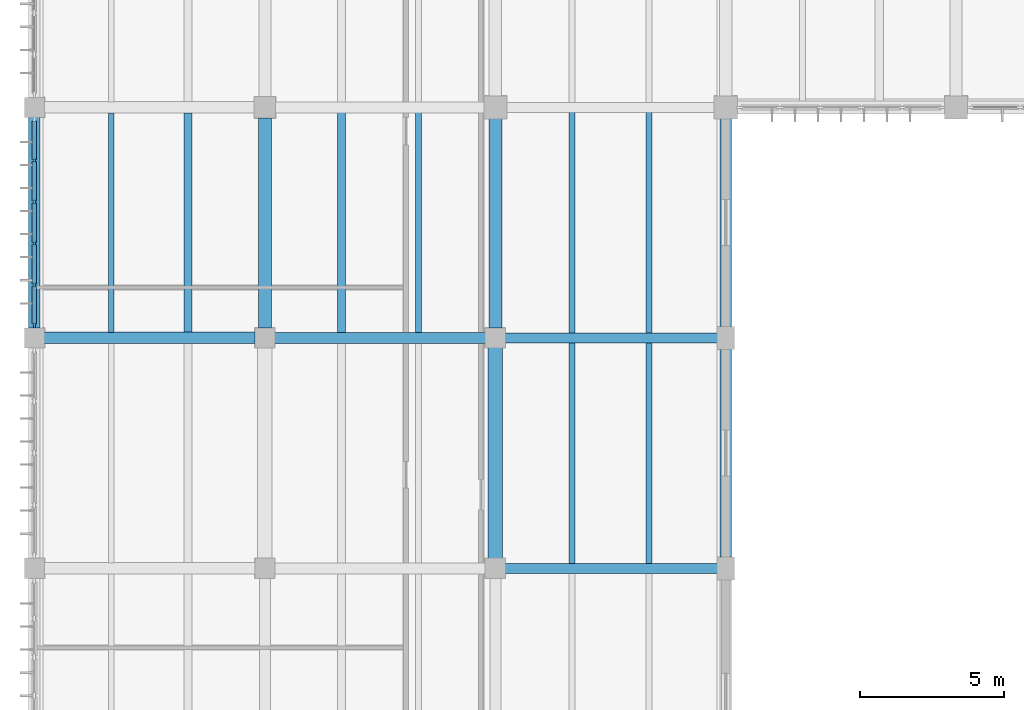
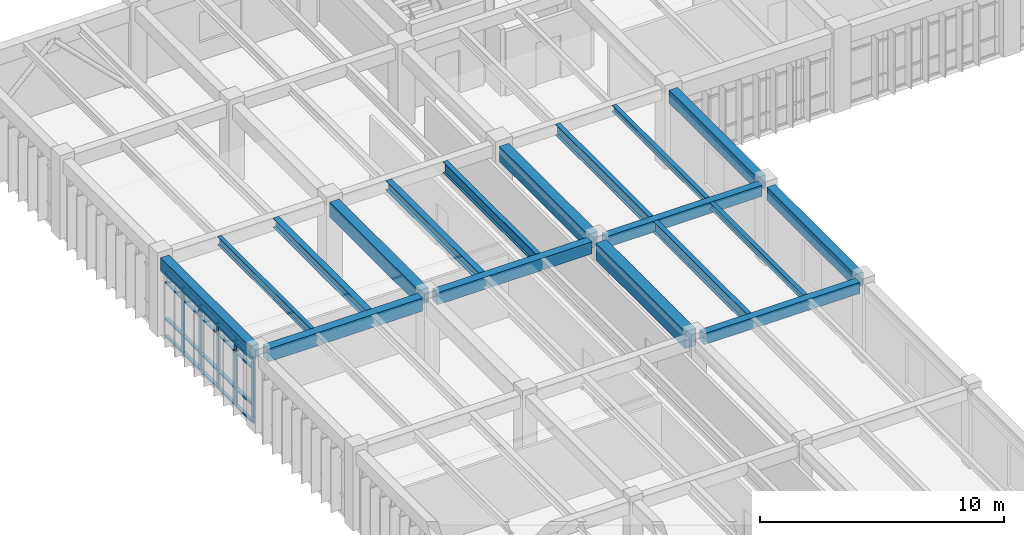
# One storey, part 10 of 67: 25 members, 18 beams, 1 element without a shape of its own.
"""IFC4 building model written with IfcOpenShell, lengths in metres."""

import ifcopenshell
import ifcopenshell.guid

model = None  # the IFC model being written
_history = None  # IfcOwnerHistory: only IFC2X3 demands one
_inside = {}  # id of a spatial element -> (the spatial element, [elements in it])
_under = {}  # id of a project, library or spatial element -> (it, [spatial elements below it])
_declared = {}  # id of a project -> (the project, [libraries it declares])
_typed = {}  # id of a type object -> (the type object, [elements of that type])
_made_of = {}  # id of a material, layer set ... -> (it, [elements and type objects made of it])


def new_model(schema):
    """Start an empty IFC model of exactly this schema.

    Asked for "IFC4X3", IfcOpenShell would pick the latest addendum, in which some entities
    have other attributes; the version numbers below select the first issue.
    IFC2X3 requires an IfcOwnerHistory on every rooted entity: one is made here for all.
    """
    global model, _history
    if schema == "IFC4X3":
        model = ifcopenshell.file(schema_version=(4, 3, 0, 0))
    else:
        model = ifcopenshell.file(schema=schema)
    _inside.clear()
    _under.clear()
    _declared.clear()
    _typed.clear()
    _made_of.clear()
    _history = None
    if model.schema == "IFC2X3":
        org = make("IfcOrganization", Name="unknown")
        user = make(
            "IfcPersonAndOrganization",
            ThePerson=make("IfcPerson", FamilyName="unknown"),
            TheOrganization=org,
        )
        app = make(
            "IfcApplication",
            ApplicationDeveloper=org,
            Version="unknown",
            ApplicationFullName="unknown",
            ApplicationIdentifier="unknown",
        )
        _history = make(
            "IfcOwnerHistory",
            OwningUser=user,
            OwningApplication=app,
            ChangeAction="ADDED",
            CreationDate=0,
        )
    return model


def make(cls, **values):
    """One entity of the class cls with the attributes given. An attribute that is None is left unset."""
    return model.create_entity(
        cls, **{name: value for name, value in values.items() if value is not None}
    )


def rooted(cls, **values):
    """An entity with a GlobalId (a new one), such as an element, a storey or a relation."""
    return make(cls, GlobalId=ifcopenshell.guid.new(), OwnerHistory=_history, **values)


def si_unit(unit_type, name, prefix=None):
    """IfcSIUnit, for example si_unit("LENGTHUNIT", "METRE", prefix="MILLI")."""
    return make("IfcSIUnit", UnitType=unit_type, Prefix=prefix, Name=name)


def assignment(units):
    """IfcUnitAssignment: the units of a project."""
    return None if units is None else make("IfcUnitAssignment", Units=units)


def point(xyz):
    """IfcCartesianPoint."""
    return None if xyz is None else make("IfcCartesianPoint", Coordinates=xyz)


def direction(xyz):
    """IfcDirection."""
    return None if xyz is None else make("IfcDirection", DirectionRatios=xyz)


def frame(location, z_axis=None, x_axis=None):
    """IfcAxis2Placement3D, a coordinate frame: its origin and axes. An axis left out is left unset."""
    return make(
        "IfcAxis2Placement3D",
        Location=point(location),
        Axis=direction(z_axis),
        RefDirection=direction(x_axis),
    )


def frame_2d(location, x_axis=None):
    """IfcAxis2Placement2D, a coordinate frame in the plane: its origin and x axis."""
    return make(
        "IfcAxis2Placement2D", Location=point(location), RefDirection=direction(x_axis)
    )


def origin():
    """The frame at (0, 0, 0) with its axes left unset."""
    return frame((0.0, 0.0, 0.0))


def origin_2d():
    """The frame at (0, 0) in the plane with its x axis left unset."""
    return frame_2d((0.0, 0.0))


def place(relative_to, where):
    """IfcLocalPlacement: puts the frame where relative to a parent placement (None: the world)."""
    return make(
        "IfcLocalPlacement", PlacementRelTo=relative_to, RelativePlacement=where
    )


def context(
    kind, dimensions, precision=None, world=None, true_north=None, identifier=None
):
    """IfcGeometricRepresentationContext, for example the 3D "Model" context."""
    return make(
        "IfcGeometricRepresentationContext",
        ContextIdentifier=identifier,
        ContextType=kind,
        CoordinateSpaceDimension=dimensions,
        Precision=precision,
        WorldCoordinateSystem=world,
        TrueNorth=true_north,
    )


def subcontext(parent, identifier, kind, view, scale=None):
    """IfcGeometricRepresentationSubContext, for example "Body" below "Model"."""
    return make(
        "IfcGeometricRepresentationSubContext",
        ContextIdentifier=identifier,
        ContextType=kind,
        ParentContext=parent,
        TargetScale=scale,
        TargetView=view,
    )


def project(units=None, contexts=None):
    """IfcProject with its units and contexts."""
    return rooted(
        "IfcProject",
        Name="project",
        RepresentationContexts=contexts,
        UnitsInContext=assignment(units),
    )


def spatial(cls, under=None, at=None, **own):
    """A site, building, storey or space (cls), placed at a placement, below another one or the project."""
    s = rooted(cls, ObjectPlacement=at, **own)
    if under is not None:
        _under.setdefault(under.id(), (under, []))[1].append(s)
    return s


def profile(cls, at=None, kind="AREA", **sizes):
    """A parametric profile (cls). Its sizes go by their IFC names, for example OverallWidth=200.0."""
    return make(cls, ProfileType=kind, Position=at, **sizes)


def rectangle(**sizes):
    """IfcRectangleProfileDef."""
    return profile("IfcRectangleProfileDef", **sizes)


def i_section(**sizes):
    """IfcIShapeProfileDef."""
    return profile("IfcIShapeProfileDef", **sizes)


def extrude(swept, where, along, depth):
    """IfcExtrudedAreaSolid: the profile swept, set in the frame where, extruded along a direction by depth."""
    return make(
        "IfcExtrudedAreaSolid",
        SweptArea=swept,
        Position=where,
        ExtrudedDirection=direction(along),
        Depth=depth,
    )


def shape(context_of_items, identifier, shape_type, items):
    """IfcShapeRepresentation: the items that make up one representation, for example the "Body"."""
    return make(
        "IfcShapeRepresentation",
        ContextOfItems=context_of_items,
        RepresentationIdentifier=identifier,
        RepresentationType=shape_type,
        Items=items,
    )


def material(Name=None, Category=None):
    """IfcMaterial."""
    return make("IfcMaterial", Name=Name, Category=Category)


def material_profile(
    of_material, cross_section, Name=None, Category=None, Priority=None
):
    """IfcMaterialProfile: a cross section and its material."""
    return make(
        "IfcMaterialProfile",
        Name=Name,
        Material=of_material,
        Profile=cross_section,
        Priority=Priority,
        Category=Category,
    )


def profile_set(profiles, Name=None, composite=None):
    """IfcMaterialProfileSet."""
    return make(
        "IfcMaterialProfileSet",
        Name=Name,
        MaterialProfiles=profiles,
        CompositeProfile=composite,
    )


def made_of(thing, what):
    """Note that an element or type object is made of a material, layer set ...; save() writes the relation."""
    if what is not None:
        _made_of.setdefault(what.id(), (what, []))[1].append(thing)
    return thing


def type_object(cls, material=None, **own):
    """A type object (cls), such as IfcWallType, which elements share."""
    return made_of(rooted(cls, **own), material)


def element(
    cls,
    number,
    at=None,
    inside=None,
    cuts=None,
    type_object=None,
    material=None,
    context=None,
    identifier="Body",
    shape_type=None,
    held_by="IfcProductDefinitionShape",
    body=None,
    shapes=None,
    **own,
):
    """One element of the class cls, such as IfcWall. Its Tag is "e" and its number.

    at: its placement. inside: the storey or other place that contains it. cuts: it is an
    opening in that element (IfcRelVoidsElement). A single representation is given by context,
    identifier, shape_type and body (its items); several are given by shapes. held_by: the class
    of the entity that holds the representations. save() writes the other relations.
    """
    e = rooted(cls, Tag="e%d" % number, ObjectPlacement=at, **own)
    if body is not None:
        shapes = [shape(context, identifier, shape_type, body)]
    if shapes is not None:
        e.Representation = make(held_by, Representations=shapes)
    if inside is not None:
        _inside.setdefault(inside.id(), (inside, []))[1].append(e)
    if cuts is not None:
        rooted(
            "IfcRelVoidsElement", RelatingBuildingElement=cuts, RelatedOpeningElement=e
        )
    if type_object is not None:
        _typed.setdefault(type_object.id(), (type_object, []))[1].append(e)
    return made_of(e, material)


def aggregate(whole, parts):
    """IfcRelAggregates: a whole, such as a stair, and the parts it consists of."""
    return rooted("IfcRelAggregates", RelatingObject=whole, RelatedObjects=parts)


def save(model, path):
    """Write the relations noted so far, then the file.

    IfcRelAggregates (storeys below a building ...), IfcRelContainedInSpatialStructure (elements
    in a storey), IfcRelDefinesByType, IfcRelAssociatesMaterial and IfcRelDeclares: one each for
    every whole, place, type object, material and project.
    """
    for whole, parts in _under.values():
        aggregate(whole, parts)
    for where, things in _inside.values():
        rooted(
            "IfcRelContainedInSpatialStructure",
            RelatedElements=things,
            RelatingStructure=where,
        )
    for kind, things in _typed.values():
        rooted("IfcRelDefinesByType", RelatedObjects=things, RelatingType=kind)
    for what, things in _made_of.values():
        rooted("IfcRelAssociatesMaterial", RelatedObjects=things, RelatingMaterial=what)
    for by, libraries in _declared.values():
        rooted("IfcRelDeclares", RelatingContext=by, RelatedDefinitions=libraries)
    model.write(path)


model = new_model("IFC4")

# Units and contexts
model_context = context("Model", 3, precision=1e-05, world=origin(), true_north=direction((0.0, 1.0)))
body_context = subcontext(model_context, "Body", "Model", "MODEL_VIEW")
ifc_project = project(units=[si_unit("LENGTHUNIT", "METRE"), si_unit("AREAUNIT", "SQUARE_METRE"), si_unit("VOLUMEUNIT", "CUBIC_METRE"), si_unit("PLANEANGLEUNIT", "RADIAN"), si_unit("MASSUNIT", "GRAM", prefix="KILO")], contexts=[model_context])

# Site, building, storey
site_placement = place(None, origin())
site = spatial("IfcSite", under=ifc_project, at=site_placement, CompositionType="ELEMENT")
building_placement = place(site_placement, origin())
building = spatial("IfcBuilding", under=site, at=building_placement, Name="Tlaxcora Railside Police Headquarters", CompositionType="ELEMENT")
storey_placement = place(building_placement, frame((0.0, 0.0, 4.800048828125)))
storey = spatial("IfcBuildingStorey", under=building, at=storey_placement, Name="L01", CompositionType="ELEMENT", Elevation=4.800048828125)

# Curtain wall, members
ifc_material_1 = material(Name="Thermally broken low-E insulated glazing", Category="glass")
curtain_wall_type = type_object("IfcCurtainWallType", Name="Unitised Curtain Wall Assembly CW-15", PredefinedType="NOTDEFINED", material=ifc_material_1)
curtain_wall_placement = place(storey_placement, origin())
curtain_wall = element("IfcCurtainWall", 1, at=curtain_wall_placement, inside=storey, type_object=curtain_wall_type, Name="V5 L01 curtain wall 46", PredefinedType="NOTDEFINED")
ifc_material_2 = material(Name="Anodised aluminium framing", Category="aluminium")
ifc_material_profile_1 = material_profile(ifc_material_2, rectangle(XDim=0.074951171875, YDim=0.199951171875, at=origin_2d()), Name="AL75X200")
ifc_profile_set_1 = profile_set([ifc_material_profile_1], Name="Anodised aluminium framing")
member_type_1 = type_object("IfcMemberType", Name="Curtain Wall Mullion CW-58", PredefinedType="MULLION", material=ifc_profile_set_1)
member_1_placement = place(storey_placement, frame((5.199951171875, 74.9599609375, 0.0), z_axis=(0.0, 0.0, 1.0), x_axis=(1.0, 0.0, 0.0)))
member_1 = element("IfcMember", 2, at=member_1_placement, type_object=member_type_1, Name="CW mullion 2", PredefinedType="MULLION", context=body_context, shape_type="SweptSolid", body=[
    extrude(rectangle(XDim=0.074951171875, YDim=0.199951171875, at=origin_2d()), origin(), (0.0, 0.0, 1.0), 3.239990234375),
])
member_2_placement = place(storey_placement, frame((5.199951171875, 73.52001953125, 0.0), z_axis=(0.0, 0.0, 1.0), x_axis=(1.0, 0.0, 0.0)))
member_2 = element("IfcMember", 3, at=member_2_placement, type_object=member_type_1, Name="CW mullion 3", PredefinedType="MULLION", context=body_context, shape_type="SweptSolid", body=[
    extrude(rectangle(XDim=0.074951171875, YDim=0.199951171875, at=origin_2d()), origin(), (0.0, 0.0, 1.0), 3.239990234375),
])
member_3_placement = place(storey_placement, frame((5.199951171875, 72.080078125, 0.0), z_axis=(0.0, 0.0, 1.0), x_axis=(1.0, 0.0, 0.0)))
member_3 = element("IfcMember", 4, at=member_3_placement, type_object=member_type_1, Name="CW mullion 4", PredefinedType="MULLION", context=body_context, shape_type="SweptSolid", body=[
    extrude(rectangle(XDim=0.074951171875, YDim=0.199951171875, at=origin_2d()), origin(), (0.0, 0.0, 1.0), 3.239990234375),
])
member_4_placement = place(storey_placement, frame((5.199951171875, 70.639892578125, 0.0), z_axis=(0.0, 0.0, 1.0), x_axis=(1.0, 0.0, 0.0)))
member_4 = element("IfcMember", 5, at=member_4_placement, type_object=member_type_1, Name="CW mullion 5", PredefinedType="MULLION", context=body_context, shape_type="SweptSolid", body=[
    extrude(rectangle(XDim=0.074951171875, YDim=0.199951171875, at=origin_2d()), origin(), (0.0, 0.0, 1.0), 3.239990234375),
])
member_5_placement = place(storey_placement, frame((5.199951171875, 69.237548828125, 0.0), z_axis=(0.0, 0.0, 1.0), x_axis=(1.0, 0.0, 0.0)))
member_5 = element("IfcMember", 6, at=member_5_placement, type_object=member_type_1, Name="CW mullion 6", PredefinedType="MULLION", context=body_context, shape_type="SweptSolid", body=[
    extrude(rectangle(XDim=0.074951171875, YDim=0.199951171875, at=origin_2d()), origin(), (0.0, 0.0, 1.0), 3.239990234375),
])
ifc_material_profile_2 = material_profile(ifc_material_2, rectangle(XDim=0.14990234375, YDim=0.074951171875, at=origin_2d()), Name="AL75X150")
ifc_profile_set_2 = profile_set([ifc_material_profile_2], Name="Anodised aluminium framing")
member_type_2 = type_object("IfcMemberType", Name="Curtain Wall Transom CW-28", PredefinedType="USERDEFINED", material=ifc_profile_set_2)
member_6_placement = place(storey_placement, frame((5.199951171875, 76.324951171875, 0.037353515625), z_axis=(0.0, -1.0, 0.0), x_axis=(1.0, 0.0, 0.0)))
member_6 = element("IfcMember", 7, at=member_6_placement, type_object=member_type_2, Name="CW transom 1.1", ObjectType="TRANSOM", PredefinedType="USERDEFINED", context=body_context, shape_type="SweptSolid", body=[
    extrude(rectangle(XDim=0.14990234375, YDim=0.074951171875, at=origin_2d()), origin(), (0.0, 0.0, 1.0), 1.327392578125),
])
member_7_placement = place(storey_placement, frame((5.199951171875, 76.324951171875, 0.89990234375), z_axis=(0.0, -1.0, 0.0), x_axis=(1.0, 0.0, 0.0)))
member_7 = element("IfcMember", 8, at=member_7_placement, type_object=member_type_2, Name="CW transom 1.2", ObjectType="TRANSOM", PredefinedType="USERDEFINED", context=body_context, shape_type="SweptSolid", body=[
    extrude(rectangle(XDim=0.14990234375, YDim=0.074951171875, at=origin_2d()), origin(), (0.0, 0.0, 1.0), 1.327392578125),
])
member_8_placement = place(storey_placement, frame((5.199951171875, 76.324951171875, 2.7099609375), z_axis=(0.0, -1.0, 0.0), x_axis=(1.0, 0.0, 0.0)))
member_8 = element("IfcMember", 9, at=member_8_placement, type_object=member_type_2, Name="CW transom 1.3", ObjectType="TRANSOM", PredefinedType="USERDEFINED", context=body_context, shape_type="SweptSolid", body=[
    extrude(rectangle(XDim=0.14990234375, YDim=0.074951171875, at=origin_2d()), origin(), (0.0, 0.0, 1.0), 1.327392578125),
])
member_9_placement = place(storey_placement, frame((5.199951171875, 76.324951171875, 3.202392578125), z_axis=(0.0, -1.0, 0.0), x_axis=(1.0, 0.0, 0.0)))
member_9 = element("IfcMember", 10, at=member_9_placement, type_object=member_type_2, Name="CW transom 1.4", ObjectType="TRANSOM", PredefinedType="USERDEFINED", context=body_context, shape_type="SweptSolid", body=[
    extrude(rectangle(XDim=0.14990234375, YDim=0.074951171875, at=origin_2d()), origin(), (0.0, 0.0, 1.0), 1.327392578125),
])
member_10_placement = place(storey_placement, frame((5.199951171875, 74.922607421875, 0.037353515625), z_axis=(0.0, -1.0, 0.0), x_axis=(1.0, 0.0, 0.0)))
member_10 = element("IfcMember", 11, at=member_10_placement, type_object=member_type_2, Name="CW transom 2.1", ObjectType="TRANSOM", PredefinedType="USERDEFINED", context=body_context, shape_type="SweptSolid", body=[
    extrude(rectangle(XDim=0.14990234375, YDim=0.074951171875, at=origin_2d()), origin(), (0.0, 0.0, 1.0), 1.364990234375),
])
member_11_placement = place(storey_placement, frame((5.199951171875, 74.922607421875, 0.89990234375), z_axis=(0.0, -1.0, 0.0), x_axis=(1.0, 0.0, 0.0)))
member_11 = element("IfcMember", 12, at=member_11_placement, type_object=member_type_2, Name="CW transom 2.2", ObjectType="TRANSOM", PredefinedType="USERDEFINED", context=body_context, shape_type="SweptSolid", body=[
    extrude(rectangle(XDim=0.14990234375, YDim=0.074951171875, at=origin_2d()), origin(), (0.0, 0.0, 1.0), 1.364990234375),
])
member_12_placement = place(storey_placement, frame((5.199951171875, 74.922607421875, 2.7099609375), z_axis=(0.0, -1.0, 0.0), x_axis=(1.0, 0.0, 0.0)))
member_12 = element("IfcMember", 13, at=member_12_placement, type_object=member_type_2, Name="CW transom 2.3", ObjectType="TRANSOM", PredefinedType="USERDEFINED", context=body_context, shape_type="SweptSolid", body=[
    extrude(rectangle(XDim=0.14990234375, YDim=0.074951171875, at=origin_2d()), origin(), (0.0, 0.0, 1.0), 1.364990234375),
])
member_13_placement = place(storey_placement, frame((5.199951171875, 74.922607421875, 3.202392578125), z_axis=(0.0, -1.0, 0.0), x_axis=(1.0, 0.0, 0.0)))
member_13 = element("IfcMember", 14, at=member_13_placement, type_object=member_type_2, Name="CW transom 2.4", ObjectType="TRANSOM", PredefinedType="USERDEFINED", context=body_context, shape_type="SweptSolid", body=[
    extrude(rectangle(XDim=0.14990234375, YDim=0.074951171875, at=origin_2d()), origin(), (0.0, 0.0, 1.0), 1.364990234375),
])
member_14_placement = place(storey_placement, frame((5.199951171875, 73.482421875, 0.037353515625), z_axis=(0.0, -1.0, 0.0), x_axis=(1.0, 0.0, 0.0)))
member_14 = element("IfcMember", 15, at=member_14_placement, type_object=member_type_2, Name="CW transom 3.1", ObjectType="TRANSOM", PredefinedType="USERDEFINED", context=body_context, shape_type="SweptSolid", body=[
    extrude(rectangle(XDim=0.14990234375, YDim=0.074951171875, at=origin_2d()), origin(), (0.0, 0.0, 1.0), 1.364990234375),
])
member_15_placement = place(storey_placement, frame((5.199951171875, 73.482421875, 0.89990234375), z_axis=(0.0, -1.0, 0.0), x_axis=(1.0, 0.0, 0.0)))
member_15 = element("IfcMember", 16, at=member_15_placement, type_object=member_type_2, Name="CW transom 3.2", ObjectType="TRANSOM", PredefinedType="USERDEFINED", context=body_context, shape_type="SweptSolid", body=[
    extrude(rectangle(XDim=0.14990234375, YDim=0.074951171875, at=origin_2d()), origin(), (0.0, 0.0, 1.0), 1.364990234375),
])
member_16_placement = place(storey_placement, frame((5.199951171875, 73.482421875, 2.7099609375), z_axis=(0.0, -1.0, 0.0), x_axis=(1.0, 0.0, 0.0)))
member_16 = element("IfcMember", 17, at=member_16_placement, type_object=member_type_2, Name="CW transom 3.3", ObjectType="TRANSOM", PredefinedType="USERDEFINED", context=body_context, shape_type="SweptSolid", body=[
    extrude(rectangle(XDim=0.14990234375, YDim=0.074951171875, at=origin_2d()), origin(), (0.0, 0.0, 1.0), 1.364990234375),
])
member_17_placement = place(storey_placement, frame((5.199951171875, 73.482421875, 3.202392578125), z_axis=(0.0, -1.0, 0.0), x_axis=(1.0, 0.0, 0.0)))
member_17 = element("IfcMember", 18, at=member_17_placement, type_object=member_type_2, Name="CW transom 3.4", ObjectType="TRANSOM", PredefinedType="USERDEFINED", context=body_context, shape_type="SweptSolid", body=[
    extrude(rectangle(XDim=0.14990234375, YDim=0.074951171875, at=origin_2d()), origin(), (0.0, 0.0, 1.0), 1.364990234375),
])
member_18_placement = place(storey_placement, frame((5.199951171875, 72.04248046875, 0.037353515625), z_axis=(0.0, -1.0, 0.0), x_axis=(1.0, 0.0, 0.0)))
member_18 = element("IfcMember", 19, at=member_18_placement, type_object=member_type_2, Name="CW transom 4.1", ObjectType="TRANSOM", PredefinedType="USERDEFINED", context=body_context, shape_type="SweptSolid", body=[
    extrude(rectangle(XDim=0.14990234375, YDim=0.074951171875, at=origin_2d()), origin(), (0.0, 0.0, 1.0), 1.364990234375),
])
member_19_placement = place(storey_placement, frame((5.199951171875, 72.04248046875, 0.89990234375), z_axis=(0.0, -1.0, 0.0), x_axis=(1.0, 0.0, 0.0)))
member_19 = element("IfcMember", 20, at=member_19_placement, type_object=member_type_2, Name="CW transom 4.2", ObjectType="TRANSOM", PredefinedType="USERDEFINED", context=body_context, shape_type="SweptSolid", body=[
    extrude(rectangle(XDim=0.14990234375, YDim=0.074951171875, at=origin_2d()), origin(), (0.0, 0.0, 1.0), 1.364990234375),
])
member_20_placement = place(storey_placement, frame((5.199951171875, 72.04248046875, 2.7099609375), z_axis=(0.0, -1.0, 0.0), x_axis=(1.0, 0.0, 0.0)))
member_20 = element("IfcMember", 21, at=member_20_placement, type_object=member_type_2, Name="CW transom 4.3", ObjectType="TRANSOM", PredefinedType="USERDEFINED", context=body_context, shape_type="SweptSolid", body=[
    extrude(rectangle(XDim=0.14990234375, YDim=0.074951171875, at=origin_2d()), origin(), (0.0, 0.0, 1.0), 1.364990234375),
])
member_21_placement = place(storey_placement, frame((5.199951171875, 72.04248046875, 3.202392578125), z_axis=(0.0, -1.0, 0.0), x_axis=(1.0, 0.0, 0.0)))
member_21 = element("IfcMember", 22, at=member_21_placement, type_object=member_type_2, Name="CW transom 4.4", ObjectType="TRANSOM", PredefinedType="USERDEFINED", context=body_context, shape_type="SweptSolid", body=[
    extrude(rectangle(XDim=0.14990234375, YDim=0.074951171875, at=origin_2d()), origin(), (0.0, 0.0, 1.0), 1.364990234375),
])
member_22_placement = place(storey_placement, frame((5.199951171875, 70.6025390625, 0.037353515625), z_axis=(0.0, -1.0, 0.0), x_axis=(1.0, 0.0, 0.0)))
member_22 = element("IfcMember", 23, at=member_22_placement, type_object=member_type_2, Name="CW transom 5.1", ObjectType="TRANSOM", PredefinedType="USERDEFINED", context=body_context, shape_type="SweptSolid", body=[
    extrude(rectangle(XDim=0.14990234375, YDim=0.074951171875, at=origin_2d()), origin(), (0.0, 0.0, 1.0), 1.32763671875),
])
member_23_placement = place(storey_placement, frame((5.199951171875, 70.6025390625, 0.89990234375), z_axis=(0.0, -1.0, 0.0), x_axis=(1.0, 0.0, 0.0)))
member_23 = element("IfcMember", 24, at=member_23_placement, type_object=member_type_2, Name="CW transom 5.2", ObjectType="TRANSOM", PredefinedType="USERDEFINED", context=body_context, shape_type="SweptSolid", body=[
    extrude(rectangle(XDim=0.14990234375, YDim=0.074951171875, at=origin_2d()), origin(), (0.0, 0.0, 1.0), 1.32763671875),
])
member_24_placement = place(storey_placement, frame((5.199951171875, 70.6025390625, 2.7099609375), z_axis=(0.0, -1.0, 0.0), x_axis=(1.0, 0.0, 0.0)))
member_24 = element("IfcMember", 25, at=member_24_placement, type_object=member_type_2, Name="CW transom 5.3", ObjectType="TRANSOM", PredefinedType="USERDEFINED", context=body_context, shape_type="SweptSolid", body=[
    extrude(rectangle(XDim=0.14990234375, YDim=0.074951171875, at=origin_2d()), origin(), (0.0, 0.0, 1.0), 1.32763671875),
])
member_25_placement = place(storey_placement, frame((5.199951171875, 70.6025390625, 3.202392578125), z_axis=(0.0, -1.0, 0.0), x_axis=(1.0, 0.0, 0.0)))
member_25 = element("IfcMember", 26, at=member_25_placement, type_object=member_type_2, Name="CW transom 5.4", ObjectType="TRANSOM", PredefinedType="USERDEFINED", context=body_context, shape_type="SweptSolid", body=[
    extrude(rectangle(XDim=0.14990234375, YDim=0.074951171875, at=origin_2d()), origin(), (0.0, 0.0, 1.0), 1.32763671875),
])
aggregate(curtain_wall, [member_1, member_2, member_3, member_4, member_5, member_6, member_7, member_8, member_9, member_10, member_11, member_12, member_13, member_14, member_15, member_16, member_17, member_18, member_19, member_20, member_21, member_22, member_23, member_24, member_25])

# Beams
ifc_material_3 = material(Name="Concrete C40/50", Category="concrete")
ifc_material_profile_3 = material_profile(ifc_material_3, rectangle(XDim=0.39990234375, YDim=0.64990234375, at=origin_2d()), Name="RC400X650")
ifc_profile_set_3 = profile_set([ifc_material_profile_3], Name="Concrete C40/50")
beam_type_1 = type_object("IfcBeamType", Name="Perimeter Spandrel Beam BM-46", PredefinedType="SPANDREL", material=ifc_profile_set_3)
beam_1_placement = place(storey_placement, frame((5.199951171875, 69.139892578125, 3.5849609375), z_axis=(0.0, 1.0, 0.0), x_axis=(-1.0, 0.0, 0.0)))
element("IfcBeam", 27, at=beam_1_placement, inside=storey, type_object=beam_type_1, Name="V5 L01 Y-girder X=5.2", PredefinedType="SPANDREL", context=body_context, shape_type="SweptSolid", body=[
    extrude(rectangle(XDim=0.39990234375, YDim=0.64990234375, at=origin_2d()), origin(), (0.0, 0.0, 1.0), 7.320068359375),
])
for number, where, z_axis, x_axis, name in (
    (28, (29.199951171875, 61.18994140625, 3.5849609375), (0.0, 1.0, 0.0), (-1.0, 0.0, 0.0), "V5 L01 Y-girder X=29.2"),
    (29, (29.199951171875, 69.18994140625, 3.5849609375), (0.0, 1.0, 0.0), (-1.0, 0.0, 0.0), "V5 L01 Y-girder X=29.2"),
):
    element("IfcBeam", number, at=place(storey_placement, frame(where, z_axis=z_axis, x_axis=x_axis)), inside=storey, type_object=beam_type_1, Name=name, PredefinedType="SPANDREL", context=body_context, shape_type="SweptSolid", body=[
        extrude(rectangle(XDim=0.39990234375, YDim=0.64990234375, at=origin_2d()), origin(), (0.0, 0.0, 1.0), 7.219970703125),
    ])
ifc_material_profile_4 = material_profile(ifc_material_3, rectangle(XDim=0.3798828125, YDim=0.60009765625, at=origin_2d()), Name="RC380X600")
ifc_profile_set_4 = profile_set([ifc_material_profile_4], Name="Concrete C40/50")
beam_type_2 = type_object("IfcBeamType", Name="Primary Frame Girder BM-22", PredefinedType="BEAM", material=ifc_profile_set_4)
beam_2_placement = place(storey_placement, frame((13.5400390625, 68.800048828125, 3.60986328125), z_axis=(1.0, 0.0, 0.0), x_axis=(0.0, 1.0, 0.0)))
element("IfcBeam", 30, at=beam_2_placement, inside=storey, type_object=beam_type_2, Name="V5 L01 X-girder Y=68.8", PredefinedType="BEAM", context=body_context, shape_type="SweptSolid", body=[
    extrude(rectangle(XDim=0.3798828125, YDim=0.60009765625, at=origin_2d()), origin(), (0.0, 0.0, 1.0), 7.320068359375),
])
ifc_material_profile_5 = material_profile(ifc_material_3, rectangle(XDim=0.35009765625, YDim=0.550048828125, at=origin_2d()), Name="RC350X550")
ifc_profile_set_5 = profile_set([ifc_material_profile_5], Name="Concrete C40/50")
beam_type_3 = type_object("IfcBeamType", Name="Primary Frame Girder BM-39", PredefinedType="BEAM", material=ifc_profile_set_5)
for number, where, z_axis, x_axis, name in (
    (31, (21.5400390625, 60.800048828125, 3.635009765625), (1.0, 0.0, 0.0), (0.0, 1.0, 0.0), "V5 L01 X-girder Y=60.8"),
    (32, (21.5400390625, 68.800048828125, 3.635009765625), (1.0, 0.0, 0.0), (0.0, 1.0, 0.0), "V5 L01 X-girder Y=68.8"),
):
    element("IfcBeam", number, at=place(storey_placement, frame(where, z_axis=z_axis, x_axis=x_axis)), inside=storey, type_object=beam_type_3, Name=name, PredefinedType="BEAM", context=body_context, shape_type="SweptSolid", body=[
        extrude(rectangle(XDim=0.35009765625, YDim=0.550048828125, at=origin_2d()), origin(), (0.0, 0.0, 1.0), 7.369873046875),
    ])
ifc_material_profile_6 = material_profile(ifc_material_3, rectangle(XDim=0.39990234375, YDim=0.64990234375, at=origin_2d()), Name="RC400X650")
ifc_profile_set_6 = profile_set([ifc_material_profile_6], Name="Concrete C40/50")
beam_type_4 = type_object("IfcBeamType", Name="Primary Frame Girder BM-41", PredefinedType="BEAM", material=ifc_profile_set_6)
beam_3_placement = place(storey_placement, frame((5.5400390625, 68.800048828125, 3.5849609375), z_axis=(1.0, 0.0, 0.0), x_axis=(0.0, 1.0, 0.0)))
element("IfcBeam", 33, at=beam_3_placement, inside=storey, type_object=beam_type_4, Name="V5 L01 X-girder Y=68.8", PredefinedType="BEAM", context=body_context, shape_type="SweptSolid", body=[
    extrude(rectangle(XDim=0.39990234375, YDim=0.64990234375, at=origin_2d()), origin(), (0.0, 0.0, 1.0), 7.320068359375),
])
ifc_material_profile_7 = material_profile(ifc_material_3, rectangle(XDim=0.5, YDim=0.85009765625, at=origin_2d()), Name="RC500X850")
ifc_profile_set_7 = profile_set([ifc_material_profile_7], Name="Concrete C40/50")
beam_type_5 = type_object("IfcBeamType", Name="Primary Frame Girder BM-64", PredefinedType="BEAM", material=ifc_profile_set_7)
beam_4_placement = place(storey_placement, frame((21.199951171875, 61.139892578125, 3.48486328125), z_axis=(0.0, 1.0, 0.0), x_axis=(-1.0, 0.0, 0.0)))
element("IfcBeam", 34, at=beam_4_placement, inside=storey, type_object=beam_type_5, Name="V5 L01 Y-girder X=21.2", PredefinedType="BEAM", context=body_context, shape_type="SweptSolid", body=[
    extrude(rectangle(XDim=0.5, YDim=0.85009765625, at=origin_2d()), origin(), (0.0, 0.0, 1.0), 7.320068359375),
])
ifc_material_profile_8 = material_profile(ifc_material_3, rectangle(XDim=0.449951171875, YDim=0.75, at=origin_2d()), Name="RC450X750")
ifc_profile_set_8 = profile_set([ifc_material_profile_8], Name="Concrete C40/50")
beam_type_6 = type_object("IfcBeamType", Name="Primary Frame Girder BM-73", PredefinedType="BEAM", material=ifc_profile_set_8)
beam_5_placement = place(storey_placement, frame((13.199951171875, 69.139892578125, 3.534912109375), z_axis=(0.0, 1.0, 0.0), x_axis=(-1.0, 0.0, 0.0)))
element("IfcBeam", 35, at=beam_5_placement, inside=storey, type_object=beam_type_6, Name="V5 L01 Y-girder X=13.2", PredefinedType="BEAM", context=body_context, shape_type="SweptSolid", body=[
    extrude(rectangle(XDim=0.449951171875, YDim=0.75, at=origin_2d()), origin(), (0.0, 0.0, 1.0), 7.295166015625),
])
beam_6_placement = place(storey_placement, frame((21.199951171875, 69.139892578125, 3.534912109375), z_axis=(0.0, 1.0, 0.0), x_axis=(-1.0, 0.0, 0.0)))
element("IfcBeam", 36, at=beam_6_placement, inside=storey, type_object=beam_type_6, Name="V5 L01 Y-girder X=21.2", PredefinedType="BEAM", context=body_context, shape_type="SweptSolid", body=[
    extrude(rectangle(XDim=0.449951171875, YDim=0.75, at=origin_2d()), origin(), (0.0, 0.0, 1.0), 7.27001953125),
])
ifc_material_4 = material(Name="Steel ASTM A992 Grade 50", Category="steel")
ifc_material_profile_9 = material_profile(ifc_material_4, i_section(OverallWidth=0.280029296875, OverallDepth=0.4619140625, WebThickness=0.0107421875, FlangeThickness=0.017333984375, at=origin_2d()), Name="W18X76")
ifc_profile_set_9 = profile_set([ifc_material_profile_9], Name="Steel ASTM A992 Grade 50")
beam_type_7 = type_object("IfcBeamType", Name="Secondary Floor Joist BM-44", PredefinedType="JOIST", material=ifc_profile_set_9)
beam_7_placement = place(storey_placement, frame((10.533203125, 68.991943359375, 3.678955078125), z_axis=(0.0, 1.0, 0.0), x_axis=(-1.0, 0.0, 0.0)))
element("IfcBeam", 37, at=beam_7_placement, inside=storey, type_object=beam_type_7, Name="V5 L01 floor joist X=10.53", PredefinedType="JOIST", context=body_context, shape_type="SweptSolid", body=[
    extrude(i_section(OverallWidth=0.280029296875, OverallDepth=0.4619140625, WebThickness=0.0107421875, FlangeThickness=0.017333984375, at=origin_2d()), origin(), (0.0, 0.0, 1.0), 7.615966796875),
])
beam_8_placement = place(storey_placement, frame((15.86669921875, 68.98193359375, 3.678955078125), z_axis=(0.0, 1.0, 0.0), x_axis=(-1.0, 0.0, 0.0)))
element("IfcBeam", 38, at=beam_8_placement, inside=storey, type_object=beam_type_7, Name="V5 L01 floor joist X=15.87", PredefinedType="JOIST", context=body_context, shape_type="SweptSolid", body=[
    extrude(i_section(OverallWidth=0.280029296875, OverallDepth=0.4619140625, WebThickness=0.0107421875, FlangeThickness=0.017333984375, at=origin_2d()), origin(), (0.0, 0.0, 1.0), 7.635986328125),
])
ifc_material_profile_10 = material_profile(ifc_material_4, i_section(OverallWidth=0.180908203125, OverallDepth=0.4169921875, WebThickness=0.010009765625, FlangeThickness=0.018310546875, at=origin_2d()), Name="W16X57")
ifc_profile_set_10 = profile_set([ifc_material_profile_10], Name="Steel ASTM A992 Grade 50")
beam_type_8 = type_object("IfcBeamType", Name="Secondary Floor Joist BM-84", PredefinedType="JOIST", material=ifc_profile_set_10)
beam_9_placement = place(storey_placement, frame((7.86669921875, 68.991943359375, 3.701416015625), z_axis=(0.0, 1.0, 0.0), x_axis=(-1.0, 0.0, 0.0)))
element("IfcBeam", 39, at=beam_9_placement, inside=storey, type_object=beam_type_8, Name="V5 L01 floor joist X=7.87", PredefinedType="JOIST", context=body_context, shape_type="SweptSolid", body=[
    extrude(i_section(OverallWidth=0.180908203125, OverallDepth=0.4169921875, WebThickness=0.010009765625, FlangeThickness=0.018310546875, at=origin_2d()), origin(), (0.0, 0.0, 1.0), 7.615966796875),
])
ifc_material_profile_11 = material_profile(ifc_material_4, i_section(OverallWidth=0.202880859375, OverallDepth=0.302978515625, WebThickness=0.007568359375, FlangeThickness=0.01318359375, at=origin_2d()), Name="W12X40")
ifc_profile_set_11 = profile_set([ifc_material_profile_11], Name="Steel ASTM A992 Grade 50")
beam_type_9 = type_object("IfcBeamType", Name="Secondary Floor Joist BM-96", PredefinedType="JOIST", material=ifc_profile_set_11)
for number, where, z_axis, x_axis, name in (
    (40, (26.533203125, 60.967041015625, 3.758544921875), (0.0, 1.0, 0.0), (-1.0, 0.0, 0.0), "V5 L01 floor joist X=26.53"),
    (41, (26.533203125, 68.967041015625, 3.758544921875), (0.0, 1.0, 0.0), (-1.0, 0.0, 0.0), "V5 L01 floor joist X=26.53"),
):
    element("IfcBeam", number, at=place(storey_placement, frame(where, z_axis=z_axis, x_axis=x_axis)), inside=storey, type_object=beam_type_9, Name=name, PredefinedType="JOIST", context=body_context, shape_type="SweptSolid", body=[
        extrude(i_section(OverallWidth=0.202880859375, OverallDepth=0.302978515625, WebThickness=0.007568359375, FlangeThickness=0.01318359375, at=origin_2d()), origin(), (0.0, 0.0, 1.0), 7.666015625),
    ])
ifc_material_profile_12 = material_profile(ifc_material_4, i_section(OverallWidth=0.214111328125, OverallDepth=0.549072265625, WebThickness=0.0146484375, FlangeThickness=0.023681640625, at=origin_2d()), Name="W21X93")
ifc_profile_set_12 = profile_set([ifc_material_profile_12], Name="Steel ASTM A992 Grade 50")
beam_type_10 = type_object("IfcBeamType", Name="Secondary Floor Joist BM-97", PredefinedType="JOIST", material=ifc_profile_set_12)
beam_10_placement = place(storey_placement, frame((23.86669921875, 60.967041015625, 3.635498046875), z_axis=(0.0, 1.0, 0.0), x_axis=(-1.0, 0.0, 0.0)))
element("IfcBeam", 42, at=beam_10_placement, inside=storey, type_object=beam_type_10, Name="V5 L01 floor joist X=23.87", PredefinedType="JOIST", context=body_context, shape_type="SweptSolid", body=[
    extrude(i_section(OverallWidth=0.214111328125, OverallDepth=0.549072265625, WebThickness=0.0146484375, FlangeThickness=0.023681640625, at=origin_2d()), origin(), (0.0, 0.0, 1.0), 7.666015625),
])
beam_11_placement = place(storey_placement, frame((18.533203125, 68.98193359375, 3.635498046875), z_axis=(0.0, 1.0, 0.0), x_axis=(-1.0, 0.0, 0.0)))
element("IfcBeam", 43, at=beam_11_placement, inside=storey, type_object=beam_type_10, Name="V5 L01 floor joist X=18.53", PredefinedType="JOIST", context=body_context, shape_type="SweptSolid", body=[
    extrude(i_section(OverallWidth=0.214111328125, OverallDepth=0.549072265625, WebThickness=0.0146484375, FlangeThickness=0.023681640625, at=origin_2d()), origin(), (0.0, 0.0, 1.0), 7.635986328125),
])
beam_12_placement = place(storey_placement, frame((23.86669921875, 68.967041015625, 3.635498046875), z_axis=(0.0, 1.0, 0.0), x_axis=(-1.0, 0.0, 0.0)))
element("IfcBeam", 44, at=beam_12_placement, inside=storey, type_object=beam_type_10, Name="V5 L01 floor joist X=23.87", PredefinedType="JOIST", context=body_context, shape_type="SweptSolid", body=[
    extrude(i_section(OverallWidth=0.214111328125, OverallDepth=0.549072265625, WebThickness=0.0146484375, FlangeThickness=0.023681640625, at=origin_2d()), origin(), (0.0, 0.0, 1.0), 7.666015625),
])

save(model, "model.ifc")
